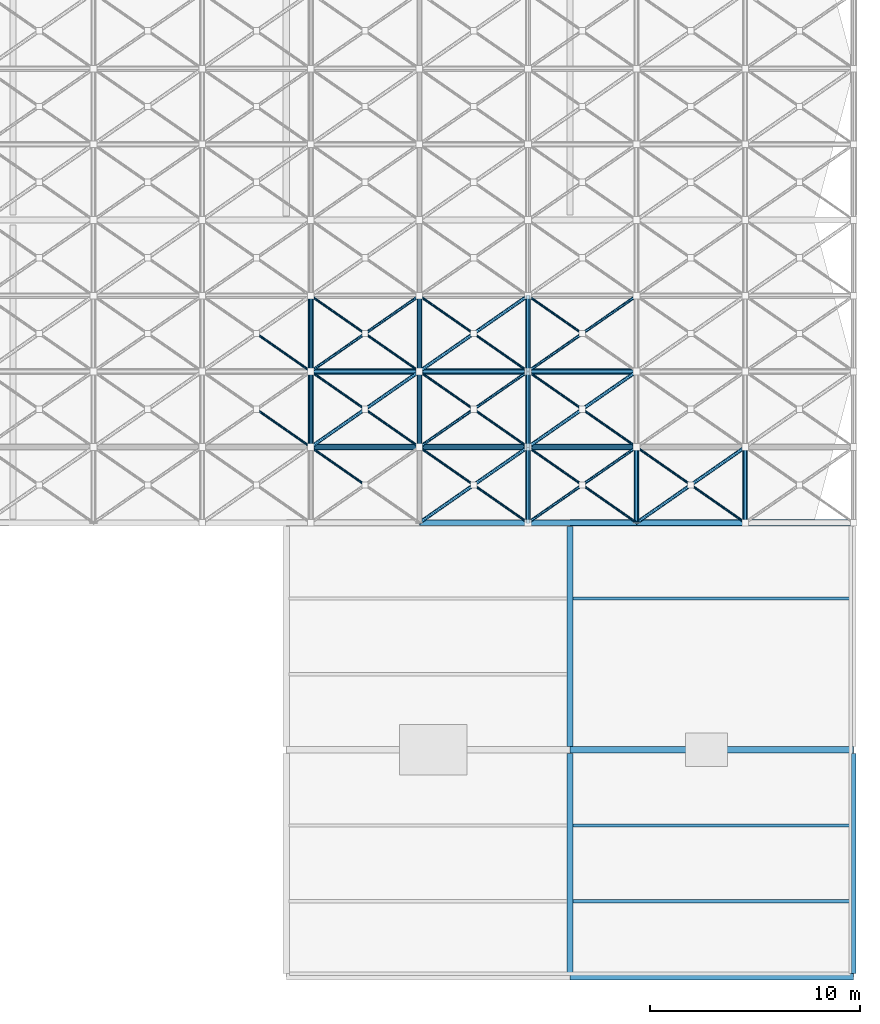
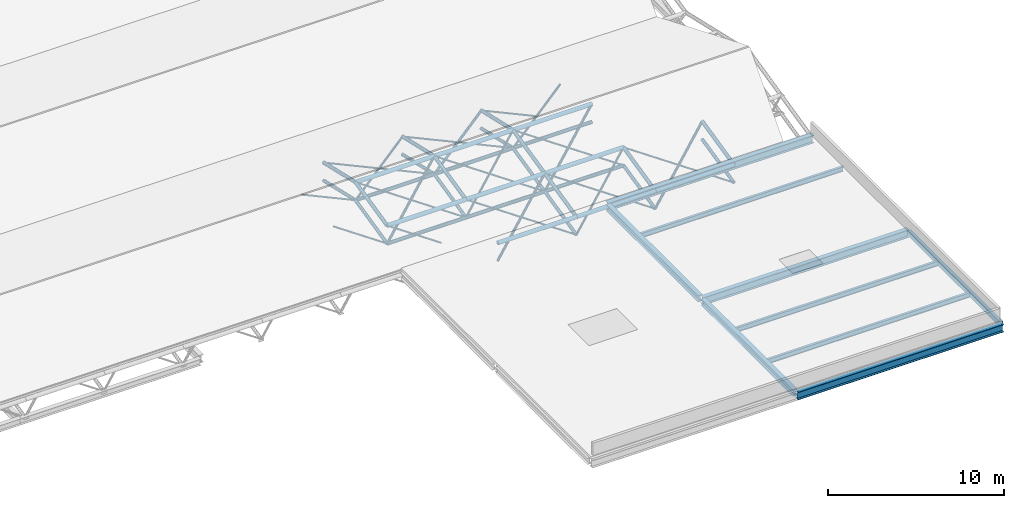
# One storey, part 36 of 110: 62 members, 9 beams.
"""IFC4 building model written with IfcOpenShell, lengths in metres."""

from ifc_helpers import new_model, si_unit, direction, frame, origin, origin_2d, place, context, subcontext, project, spatial, hollow_rectangle, hollow_circle, i_section, extrude, material, material_profile, profile_set, type_object, element, save


model = new_model("IFC4")

# Units and contexts
model_context = context("Model", 3, precision=1e-05, world=origin(), true_north=direction((0.0, 1.0)))
body_context = subcontext(model_context, "Body", "Model", "MODEL_VIEW")
ifc_project = project(units=[si_unit("LENGTHUNIT", "METRE"), si_unit("AREAUNIT", "SQUARE_METRE"), si_unit("VOLUMEUNIT", "CUBIC_METRE"), si_unit("PLANEANGLEUNIT", "RADIAN"), si_unit("MASSUNIT", "GRAM", prefix="KILO")], contexts=[model_context])

# Site, building, storey
site_placement = place(None, origin())
site = spatial("IfcSite", under=ifc_project, at=site_placement, CompositionType="ELEMENT")
building_placement = place(site_placement, origin())
building = spatial("IfcBuilding", under=site, at=building_placement, Name="Tamarisk Ironworks Central Station", CompositionType="ELEMENT")
storey_placement = place(building_placement, frame((0.0, 0.0, 17.39990234375)))
storey = spatial("IfcBuildingStorey", under=building, at=storey_placement, Name="L03", CompositionType="ELEMENT", Elevation=17.39990234375)

# Beams
ifc_material_1 = material(Name="Structural steel S355J2", Category="steel")
ifc_material_profile_1 = material_profile(ifc_material_1, i_section(OverallWidth=0.159912109375, OverallDepth=0.330078125, WebThickness=0.007568359375, FlangeThickness=0.011474609375, at=origin_2d()), Name="IPE 330")
ifc_profile_set_1 = profile_set([ifc_material_profile_1], Name="Structural steel S355J2")
beam_type_1 = type_object("IfcBeamType", Name="BM-B06", PredefinedType="BEAM", material=ifc_profile_set_1)
for number, where, z_axis, x_axis, name in (
    (1, (166.635009765625, 3.60009765625, -0.324951171875), (1.0, 0.0, 0.0), (0.0, 1.0, 0.0), "L03 secondary composite beam 0230"),
    (2, (166.635009765625, 7.199951171875, -0.324951171875), (1.0, 0.0, 0.0), (0.0, 1.0, 0.0), "L03 secondary composite beam 0231"),
    (3, (166.635009765625, 18.0, -0.324951171875), (1.0, 0.0, 0.0), (0.0, 1.0, 0.0), "L03 secondary composite beam 0232"),
):
    element("IfcBeam", number, at=place(storey_placement, frame(where, z_axis=z_axis, x_axis=x_axis)), inside=storey, type_object=beam_type_1, Name=name, PredefinedType="BEAM", context=body_context, shape_type="SweptSolid", body=[
        extrude(i_section(OverallWidth=0.159912109375, OverallDepth=0.330078125, WebThickness=0.007568359375, FlangeThickness=0.011474609375, at=origin_2d()), origin(), (0.0, 0.0, 1.0), 13.280029296875),
    ])
ifc_material_profile_2 = material_profile(ifc_material_1, i_section(OverallWidth=0.300048828125, OverallDepth=0.5400390625, WebThickness=0.012451171875, FlangeThickness=0.02392578125, at=origin_2d()), Name="HEA 550")
ifc_profile_set_2 = profile_set([ifc_material_profile_2], Name="Structural steel S355J2")
beam_type_2 = type_object("IfcBeamType", Name="BM-G04", PredefinedType="BEAM", material=ifc_profile_set_2)
for number, where, z_axis, x_axis, name in (
    (4, (166.50390625, 0.0, -0.429931640625), (1.0, 0.0, 0.0), (0.0, 1.0, 0.0), "L03 primary girder X-0623"),
    (5, (166.50390625, 10.800048828125, -0.429931640625), (1.0, 0.0, 0.0), (0.0, 1.0, 0.0), "L03 primary girder X-0625"),
    (6, (166.50390625, 21.60009765625, -0.429931640625), (1.0, 0.0, 0.0), (0.0, 1.0, 0.0), "L03 primary girder X-0627"),
):
    element("IfcBeam", number, at=place(storey_placement, frame(where, z_axis=z_axis, x_axis=x_axis)), inside=storey, type_object=beam_type_2, Name=name, PredefinedType="BEAM", context=body_context, shape_type="SweptSolid", body=[
        extrude(i_section(OverallWidth=0.300048828125, OverallDepth=0.5400390625, WebThickness=0.012451171875, FlangeThickness=0.02392578125, at=origin_2d()), origin(), (0.0, 0.0, 1.0), 13.4921875),
    ])
ifc_material_profile_3 = material_profile(ifc_material_1, i_section(OverallWidth=0.300048828125, OverallDepth=0.43994140625, WebThickness=0.011474609375, FlangeThickness=0.02099609375, at=origin_2d()), Name="HEA 450")
ifc_profile_set_3 = profile_set([ifc_material_profile_3], Name="Structural steel S355J2")
beam_type_3 = type_object("IfcBeamType", Name="BM-G06", PredefinedType="BEAM", material=ifc_profile_set_3)
beam_1_placement = place(storey_placement, frame((166.5, 0.16796875, -0.3798828125), z_axis=(0.0, 1.0, 0.0), x_axis=(-1.0, 0.0, 0.0)))
element("IfcBeam", 7, at=beam_1_placement, inside=storey, type_object=beam_type_3, Name="L03 primary girder Y-0695", PredefinedType="BEAM", context=body_context, shape_type="SweptSolid", body=[
    extrude(i_section(OverallWidth=0.300048828125, OverallDepth=0.43994140625, WebThickness=0.011474609375, FlangeThickness=0.02099609375, at=origin_2d()), origin(), (0.0, 0.0, 1.0), 10.464111328125),
])
beam_2_placement = place(storey_placement, frame((166.5, 10.968017578125, -0.3798828125), z_axis=(0.0, 1.0, 0.0), x_axis=(-1.0, 0.0, 0.0)))
element("IfcBeam", 8, at=beam_2_placement, inside=storey, type_object=beam_type_3, Name="L03 primary girder Y-0696", PredefinedType="BEAM", context=body_context, shape_type="SweptSolid", body=[
    extrude(i_section(OverallWidth=0.300048828125, OverallDepth=0.43994140625, WebThickness=0.011474609375, FlangeThickness=0.02099609375, at=origin_2d()), origin(), (0.0, 0.0, 1.0), 10.4638671875),
])
ifc_material_profile_4 = material_profile(ifc_material_1, hollow_rectangle(XDim=0.199951171875, YDim=0.35009765625, WallThickness=0.012451171875, at=origin_2d()), Name="RHS 350x200x12.5")
ifc_profile_set_4 = profile_set([ifc_material_profile_4], Name="Structural steel S355J2")
beam_type_4 = type_object("IfcBeamType", Name="BM-SP01", PredefinedType="SPANDREL", material=ifc_profile_set_4)
beam_3_placement = place(storey_placement, frame((180.0, 0.16796875, -0.3349609375), z_axis=(0.0, 1.0, 0.0), x_axis=(-1.0, 0.0, 0.0)))
element("IfcBeam", 9, at=beam_3_placement, inside=storey, type_object=beam_type_4, Name="L03 primary girder Y-0700", PredefinedType="SPANDREL", context=body_context, shape_type="SweptSolid", body=[
    extrude(hollow_rectangle(XDim=0.199951171875, YDim=0.35009765625, WallThickness=0.012451171875, at=origin_2d()), origin(), (0.0, 0.0, 1.0), 10.464111328125),
])

# Members
ifc_material_2 = material(Name="Structural steel S355J2H", Category="steel")
ifc_material_profile_5 = material_profile(ifc_material_2, hollow_circle(Radius=0.136474609375, WallThickness=0.012451171875, at=origin_2d()), Name="CHS 273x12.5")
ifc_profile_set_5 = profile_set([ifc_material_profile_5], Name="Structural steel S355J2H")
member_type_1 = type_object("IfcMemberType", Name="MB-SFC01", PredefinedType="CHORD", material=ifc_profile_set_5)
for number, where, z_axis, x_axis, name in (
    (10, (159.333251953125, 21.60009765625, -0.469970703125), (1.0, 0.0, 0.0), (0.0, 1.0, 0.0), "Train shed space-frame top chord 1059"),
    (11, (164.5, 21.60009765625, -0.469970703125), (1.0, 0.0, 0.0), (0.0, 1.0, 0.0), "Train shed space-frame top chord 1060"),
):
    element("IfcMember", number, at=place(storey_placement, frame(where, z_axis=z_axis, x_axis=x_axis)), inside=storey, type_object=member_type_1, Name=name, PredefinedType="CHORD", context=body_context, shape_type="SweptSolid", body=[
        extrude(hollow_circle(Radius=0.136474609375, WallThickness=0.012451171875, at=origin_2d()), origin(), (0.0, 0.0, 1.0), 5.166748046875),
    ])
for number, where, z_axis, x_axis, name in (
    (12, (169.666748046875, 21.60009765625, -0.469970703125), (1.0, 0.0, 0.0), (0.0, 1.0, 0.0), "Train shed space-frame top chord 1061"),
    (13, (154.166748046875, 25.199951171875, 0.35498046875), (1.0, 0.0, 0.0), (0.0, 1.0, 0.0), "Train shed space-frame top chord 1070"),
):
    element("IfcMember", number, at=place(storey_placement, frame(where, z_axis=z_axis, x_axis=x_axis)), inside=storey, type_object=member_type_1, Name=name, PredefinedType="CHORD", context=body_context, shape_type="SweptSolid", body=[
        extrude(hollow_circle(Radius=0.136474609375, WallThickness=0.012451171875, at=origin_2d()), origin(), (0.0, 0.0, 1.0), 5.16650390625),
    ])
for number, where, z_axis, x_axis, name in (
    (14, (159.333251953125, 25.199951171875, 0.35498046875), (1.0, 0.0, 0.0), (0.0, 1.0, 0.0), "Train shed space-frame top chord 1071"),
    (15, (164.5, 25.199951171875, 0.35498046875), (1.0, 0.0, 0.0), (0.0, 1.0, 0.0), "Train shed space-frame top chord 1072"),
):
    element("IfcMember", number, at=place(storey_placement, frame(where, z_axis=z_axis, x_axis=x_axis)), inside=storey, type_object=member_type_1, Name=name, PredefinedType="CHORD", context=body_context, shape_type="SweptSolid", body=[
        extrude(hollow_circle(Radius=0.136474609375, WallThickness=0.012451171875, at=origin_2d()), origin(), (0.0, 0.0, 1.0), 5.166748046875),
    ])
member_1_placement = place(storey_placement, frame((154.166748046875, 28.800048828125, 1.18017578125), z_axis=(1.0, 0.0, 0.0), x_axis=(0.0, 1.0, 0.0)))
element("IfcMember", 16, at=member_1_placement, inside=storey, type_object=member_type_1, Name="Train shed space-frame top chord 1082", PredefinedType="CHORD", context=body_context, shape_type="SweptSolid", body=[
    extrude(hollow_circle(Radius=0.136474609375, WallThickness=0.012451171875, at=origin_2d()), origin(), (0.0, 0.0, 1.0), 5.16650390625),
])
for number, where, z_axis, x_axis, name in (
    (17, (159.333251953125, 28.800048828125, 1.18017578125), (1.0, 0.0, 0.0), (0.0, 1.0, 0.0), "Train shed space-frame top chord 1083"),
    (18, (164.5, 28.800048828125, 1.18017578125), (1.0, 0.0, 0.0), (0.0, 1.0, 0.0), "Train shed space-frame top chord 1084"),
):
    element("IfcMember", number, at=place(storey_placement, frame(where, z_axis=z_axis, x_axis=x_axis)), inside=storey, type_object=member_type_1, Name=name, PredefinedType="CHORD", context=body_context, shape_type="SweptSolid", body=[
        extrude(hollow_circle(Radius=0.136474609375, WallThickness=0.012451171875, at=origin_2d()), origin(), (0.0, 0.0, 1.0), 5.166748046875),
    ])
ifc_material_profile_6 = material_profile(ifc_material_2, hollow_circle(Radius=0.122314453125, WallThickness=0.012451171875, at=origin_2d()), Name="CHS 244.5x12.5")
ifc_profile_set_6 = profile_set([ifc_material_profile_6], Name="Structural steel S355J2H")
member_type_2 = type_object("IfcMemberType", Name="MB-SFC02", PredefinedType="CHORD", material=ifc_profile_set_6)
member_2_placement = place(storey_placement, frame((154.166748046875, 25.199951171875, -0.89501953125), z_axis=(1.0, 0.0, 0.0), x_axis=(0.0, 1.0, 0.0)))
element("IfcMember", 19, at=member_2_placement, inside=storey, type_object=member_type_2, Name="Train shed space-frame bottom chord 0970", PredefinedType="CHORD", context=body_context, shape_type="SweptSolid", body=[
    extrude(hollow_circle(Radius=0.122314453125, WallThickness=0.012451171875, at=origin_2d()), origin(), (0.0, 0.0, 1.0), 5.16650390625),
])
for number, where, z_axis, x_axis, name in (
    (20, (159.333251953125, 25.199951171875, -0.89501953125), (1.0, 0.0, 0.0), (0.0, 1.0, 0.0), "Train shed space-frame bottom chord 0971"),
    (21, (164.5, 25.199951171875, -0.89501953125), (1.0, 0.0, 0.0), (0.0, 1.0, 0.0), "Train shed space-frame bottom chord 0972"),
):
    element("IfcMember", number, at=place(storey_placement, frame(where, z_axis=z_axis, x_axis=x_axis)), inside=storey, type_object=member_type_2, Name=name, PredefinedType="CHORD", context=body_context, shape_type="SweptSolid", body=[
        extrude(hollow_circle(Radius=0.122314453125, WallThickness=0.012451171875, at=origin_2d()), origin(), (0.0, 0.0, 1.0), 5.166748046875),
    ])
member_3_placement = place(storey_placement, frame((154.166748046875, 28.800048828125, -0.06982421875), z_axis=(1.0, 0.0, 0.0), x_axis=(0.0, 1.0, 0.0)))
element("IfcMember", 22, at=member_3_placement, inside=storey, type_object=member_type_2, Name="Train shed space-frame bottom chord 0982", PredefinedType="CHORD", context=body_context, shape_type="SweptSolid", body=[
    extrude(hollow_circle(Radius=0.122314453125, WallThickness=0.012451171875, at=origin_2d()), origin(), (0.0, 0.0, 1.0), 5.16650390625),
])
for number, where, z_axis, x_axis, name in (
    (23, (159.333251953125, 28.800048828125, -0.06982421875), (1.0, 0.0, 0.0), (0.0, 1.0, 0.0), "Train shed space-frame bottom chord 0983"),
    (24, (164.5, 28.800048828125, -0.06982421875), (1.0, 0.0, 0.0), (0.0, 1.0, 0.0), "Train shed space-frame bottom chord 0984"),
):
    element("IfcMember", number, at=place(storey_placement, frame(where, z_axis=z_axis, x_axis=x_axis)), inside=storey, type_object=member_type_2, Name=name, PredefinedType="CHORD", context=body_context, shape_type="SweptSolid", body=[
        extrude(hollow_circle(Radius=0.122314453125, WallThickness=0.012451171875, at=origin_2d()), origin(), (0.0, 0.0, 1.0), 5.166748046875),
    ])
member_4_placement = place(storey_placement, frame((154.166748046875, 25.199951171875, 0.35498046875), z_axis=(0.0, 0.974722123001, 0.223420641241), x_axis=(-1.0, 0.0, 0.0)))
element("IfcMember", 25, at=member_4_placement, inside=storey, type_object=member_type_2, Name="Train shed space-frame top transverse chord 1140", PredefinedType="CHORD", context=body_context, shape_type="SweptSolid", body=[
    extrude(hollow_circle(Radius=0.122314453125, WallThickness=0.012451171875, at=origin_2d()), origin(), (0.0, 0.0, 1.0), 3.693359375),
])
member_5_placement = place(storey_placement, frame((154.166748046875, 28.800048828125, 1.18017578125), z_axis=(0.0, 0.974718823144, -0.223435037113), x_axis=(-1.0, 0.0, 0.0)))
element("IfcMember", 26, at=member_5_placement, inside=storey, type_object=member_type_2, Name="Train shed space-frame top transverse chord 1141", PredefinedType="CHORD", context=body_context, shape_type="SweptSolid", body=[
    extrude(hollow_circle(Radius=0.122314453125, WallThickness=0.012451171875, at=origin_2d()), origin(), (0.0, 0.0, 1.0), 3.693115234375),
])
member_6_placement = place(storey_placement, frame((159.333251953125, 25.199951171875, 0.35498046875), z_axis=(0.0, 0.974722123001, 0.223420641241), x_axis=(-1.0, 0.0, 0.0)))
element("IfcMember", 27, at=member_6_placement, inside=storey, type_object=member_type_2, Name="Train shed space-frame top transverse chord 1144", PredefinedType="CHORD", context=body_context, shape_type="SweptSolid", body=[
    extrude(hollow_circle(Radius=0.122314453125, WallThickness=0.012451171875, at=origin_2d()), origin(), (0.0, 0.0, 1.0), 3.693359375),
])
for number, where, z_axis, x_axis, name in (
    (28, (159.333251953125, 28.800048828125, 1.18017578125), (0.0, 0.974718823144, -0.223435037113), (-1.0, 0.0, 0.0), "Train shed space-frame top transverse chord 1145"),
    (29, (164.5, 21.60009765625, -0.469970703125), (0.0, 0.974733218107, 0.223372230857), (-1.0, 0.0, 0.0), "Train shed space-frame top transverse chord 1147"),
):
    element("IfcMember", number, at=place(storey_placement, frame(where, z_axis=z_axis, x_axis=x_axis)), inside=storey, type_object=member_type_2, Name=name, PredefinedType="CHORD", context=body_context, shape_type="SweptSolid", body=[
        extrude(hollow_circle(Radius=0.122314453125, WallThickness=0.012451171875, at=origin_2d()), origin(), (0.0, 0.0, 1.0), 3.693115234375),
    ])
member_7_placement = place(storey_placement, frame((164.5, 25.199951171875, 0.35498046875), z_axis=(0.0, 0.974722123001, 0.223420641241), x_axis=(-1.0, 0.0, 0.0)))
element("IfcMember", 30, at=member_7_placement, inside=storey, type_object=member_type_2, Name="Train shed space-frame top transverse chord 1148", PredefinedType="CHORD", context=body_context, shape_type="SweptSolid", body=[
    extrude(hollow_circle(Radius=0.122314453125, WallThickness=0.012451171875, at=origin_2d()), origin(), (0.0, 0.0, 1.0), 3.693359375),
])
for number, where, z_axis, x_axis, name in (
    (31, (164.5, 28.800048828125, 1.18017578125), (0.0, 0.974718823144, -0.223435037113), (-1.0, 0.0, 0.0), "Train shed space-frame top transverse chord 1149"),
    (32, (169.666748046875, 21.60009765625, -0.469970703125), (0.0, 0.974733218107, 0.223372230857), (-1.0, 0.0, 0.0), "Train shed space-frame top transverse chord 1151"),
    (33, (174.833251953125, 21.60009765625, -0.469970703125), (0.0, 0.974733218107, 0.223372230857), (-1.0, 0.0, 0.0), "Train shed space-frame top transverse chord 1155"),
):
    element("IfcMember", number, at=place(storey_placement, frame(where, z_axis=z_axis, x_axis=x_axis)), inside=storey, type_object=member_type_2, Name=name, PredefinedType="CHORD", context=body_context, shape_type="SweptSolid", body=[
        extrude(hollow_circle(Radius=0.122314453125, WallThickness=0.012451171875, at=origin_2d()), origin(), (0.0, 0.0, 1.0), 3.693115234375),
    ])
ifc_material_profile_7 = material_profile(ifc_material_2, hollow_circle(Radius=0.109619140625, WallThickness=0.010009765625, at=origin_2d()), Name="CHS 219.1x10")
ifc_profile_set_7 = profile_set([ifc_material_profile_7], Name="Structural steel S355J2H")
member_type_3 = type_object("IfcMemberType", Name="MB-SFC03", PredefinedType="CHORD", material=ifc_profile_set_7)
member_8_placement = place(storey_placement, frame((154.166748046875, 25.199951171875, -0.89501953125), z_axis=(0.0, 0.974722123001, 0.223420641241), x_axis=(-1.0, 0.0, 0.0)))
element("IfcMember", 34, at=member_8_placement, inside=storey, type_object=member_type_3, Name="Train shed space-frame transverse chord 1028", PredefinedType="CHORD", context=body_context, shape_type="SweptSolid", body=[
    extrude(hollow_circle(Radius=0.109619140625, WallThickness=0.010009765625, at=origin_2d()), origin(), (0.0, 0.0, 1.0), 3.693359375),
])
member_9_placement = place(storey_placement, frame((154.166748046875, 28.800048828125, -0.06982421875), z_axis=(0.0, 0.974718823144, -0.223435037113), x_axis=(-1.0, 0.0, 0.0)))
element("IfcMember", 35, at=member_9_placement, inside=storey, type_object=member_type_3, Name="Train shed space-frame transverse chord 1029", PredefinedType="CHORD", context=body_context, shape_type="SweptSolid", body=[
    extrude(hollow_circle(Radius=0.109619140625, WallThickness=0.010009765625, at=origin_2d()), origin(), (0.0, 0.0, 1.0), 3.693115234375),
])
member_10_placement = place(storey_placement, frame((159.333251953125, 25.199951171875, -0.89501953125), z_axis=(0.0, 0.974722123001, 0.223420641241), x_axis=(-1.0, 0.0, 0.0)))
element("IfcMember", 36, at=member_10_placement, inside=storey, type_object=member_type_3, Name="Train shed space-frame transverse chord 1032", PredefinedType="CHORD", context=body_context, shape_type="SweptSolid", body=[
    extrude(hollow_circle(Radius=0.109619140625, WallThickness=0.010009765625, at=origin_2d()), origin(), (0.0, 0.0, 1.0), 3.693359375),
])
for number, where, z_axis, x_axis, name in (
    (37, (159.333251953125, 28.800048828125, -0.06982421875), (0.0, 0.974718823144, -0.223435037113), (-1.0, 0.0, 0.0), "Train shed space-frame transverse chord 1033"),
    (38, (164.5, 21.60009765625, -1.719970703125), (0.0, 0.974733218107, 0.223372230857), (-1.0, 0.0, 0.0), "Train shed space-frame transverse chord 1035"),
):
    element("IfcMember", number, at=place(storey_placement, frame(where, z_axis=z_axis, x_axis=x_axis)), inside=storey, type_object=member_type_3, Name=name, PredefinedType="CHORD", context=body_context, shape_type="SweptSolid", body=[
        extrude(hollow_circle(Radius=0.109619140625, WallThickness=0.010009765625, at=origin_2d()), origin(), (0.0, 0.0, 1.0), 3.693115234375),
    ])
member_11_placement = place(storey_placement, frame((164.5, 25.199951171875, -0.89501953125), z_axis=(0.0, 0.974722123001, 0.223420641241), x_axis=(-1.0, 0.0, 0.0)))
element("IfcMember", 39, at=member_11_placement, inside=storey, type_object=member_type_3, Name="Train shed space-frame transverse chord 1036", PredefinedType="CHORD", context=body_context, shape_type="SweptSolid", body=[
    extrude(hollow_circle(Radius=0.109619140625, WallThickness=0.010009765625, at=origin_2d()), origin(), (0.0, 0.0, 1.0), 3.693359375),
])
for number, where, z_axis, x_axis, name in (
    (40, (164.5, 28.800048828125, -0.06982421875), (0.0, 0.974718823144, -0.223435037113), (-1.0, 0.0, 0.0), "Train shed space-frame transverse chord 1037"),
    (41, (169.666748046875, 21.60009765625, -1.719970703125), (0.0, 0.974733218107, 0.223372230857), (-1.0, 0.0, 0.0), "Train shed space-frame transverse chord 1039"),
    (42, (174.833251953125, 21.60009765625, -1.719970703125), (0.0, 0.974733218107, 0.223372230857), (-1.0, 0.0, 0.0), "Train shed space-frame transverse chord 1043"),
):
    element("IfcMember", number, at=place(storey_placement, frame(where, z_axis=z_axis, x_axis=x_axis)), inside=storey, type_object=member_type_3, Name=name, PredefinedType="CHORD", context=body_context, shape_type="SweptSolid", body=[
        extrude(hollow_circle(Radius=0.109619140625, WallThickness=0.010009765625, at=origin_2d()), origin(), (0.0, 0.0, 1.0), 3.693115234375),
    ])
ifc_material_profile_8 = material_profile(ifc_material_2, hollow_circle(Radius=0.084228515625, WallThickness=0.010009765625, at=origin_2d()), Name="CHS 168.3x10")
ifc_profile_set_8 = profile_set([ifc_material_profile_8], Name="Structural steel S355J2H")
member_type_4 = type_object("IfcMemberType", Name="MB-SFD01", PredefinedType="BRACE", material=ifc_profile_set_8)
for number, where, z_axis, x_axis, name in (
    (43, (154.166748046875, 25.199951171875, -0.89501953125), (0.779234922088, 0.542982617952, 0.31299011614), (-0.571707258436, 0.820457683645, 0.0), "Train shed space-frame diagonal 1221"),
    (44, (159.333251953125, 21.60009765625, -1.719970703125), (0.779273944842, 0.542947328672, 0.312954177442), (-0.57166297408, 0.820488539875, 0.0), "Train shed space-frame diagonal 1227"),
):
    element("IfcMember", number, at=place(storey_placement, frame(where, z_axis=z_axis, x_axis=x_axis)), inside=storey, type_object=member_type_4, Name=name, PredefinedType="BRACE", context=body_context, shape_type="SweptSolid", body=[
        extrude(hollow_circle(Radius=0.084228515625, WallThickness=0.010009765625, at=origin_2d()), origin(), (0.0, 0.0, 1.0), 6.630126953125),
    ])
member_12_placement = place(storey_placement, frame((159.333251953125, 28.800048828125, -0.06982421875), z_axis=(0.818627942589, 0.570366631076, 0.06730674385), x_axis=(-0.57166297408, 0.820488539875, 0.0)))
element("IfcMember", 45, at=member_12_placement, inside=storey, type_object=member_type_4, Name="Train shed space-frame diagonal 1231", PredefinedType="BRACE", context=body_context, shape_type="SweptSolid", body=[
    extrude(hollow_circle(Radius=0.084228515625, WallThickness=0.010009765625, at=origin_2d()), origin(), (0.0, 0.0, 1.0), 6.3115234375),
])
member_13_placement = place(storey_placement, frame((164.5, 25.199951171875, -0.89501953125), z_axis=(0.779249385031, 0.542967038306, 0.312981135603), x_axis=(-0.571689073201, 0.82047035509, 0.0)))
element("IfcMember", 46, at=member_13_placement, inside=storey, type_object=member_type_4, Name="Train shed space-frame diagonal 1237", PredefinedType="BRACE", context=body_context, shape_type="SweptSolid", body=[
    extrude(hollow_circle(Radius=0.084228515625, WallThickness=0.010009765625, at=origin_2d()), origin(), (0.0, 0.0, 1.0), 6.63037109375),
])
member_14_placement = place(storey_placement, frame((169.666748046875, 21.60009765625, -1.719970703125), z_axis=(0.779259482852, 0.542962908735, 0.312963157772), x_axis=(-0.571681159291, 0.820475869305, 0.0)))
element("IfcMember", 47, at=member_14_placement, inside=storey, type_object=member_type_4, Name="Train shed space-frame diagonal 1243", PredefinedType="BRACE", context=body_context, shape_type="SweptSolid", body=[
    extrude(hollow_circle(Radius=0.084228515625, WallThickness=0.010009765625, at=origin_2d()), origin(), (0.0, 0.0, 1.0), 6.630126953125),
])
ifc_material_profile_9 = material_profile(ifc_material_2, hollow_circle(Radius=0.06982421875, WallThickness=0.008056640625, at=origin_2d()), Name="CHS 139.7x8")
ifc_profile_set_9 = profile_set([ifc_material_profile_9], Name="Structural steel S355J2H")
member_type_5 = type_object("IfcMemberType", Name="MB-SFD02", PredefinedType="BRACE", material=ifc_profile_set_9)
member_15_placement = place(storey_placement, frame((154.166748046875, 28.800048828125, -0.06982421875), z_axis=(0.818615182779, 0.570384692849, 0.06730887525), x_axis=(-0.571681159291, 0.820475869305, 0.0)))
element("IfcMember", 48, at=member_15_placement, inside=storey, type_object=member_type_5, Name="Train shed space-frame diagonal 1223", PredefinedType="BRACE", context=body_context, shape_type="SweptSolid", body=[
    extrude(hollow_circle(Radius=0.06982421875, WallThickness=0.008056640625, at=origin_2d()), origin(), (0.0, 0.0, 1.0), 6.311279296875),
])
member_16_placement = place(storey_placement, frame((159.333251953125, 25.199951171875, -0.89501953125), z_axis=(0.779249385031, 0.542967038306, 0.312981135603), x_axis=(-0.571689073201, 0.82047035509, 0.0)))
element("IfcMember", 49, at=member_16_placement, inside=storey, type_object=member_type_5, Name="Train shed space-frame diagonal 1229", PredefinedType="BRACE", context=body_context, shape_type="SweptSolid", body=[
    extrude(hollow_circle(Radius=0.06982421875, WallThickness=0.008056640625, at=origin_2d()), origin(), (0.0, 0.0, 1.0), 6.63037109375),
])
member_17_placement = place(storey_placement, frame((164.5, 21.60009765625, -1.719970703125), z_axis=(0.779273944842, 0.542947328672, 0.312954177442), x_axis=(-0.57166297408, 0.820488539875, 0.0)))
element("IfcMember", 50, at=member_17_placement, inside=storey, type_object=member_type_5, Name="Train shed space-frame diagonal 1235", PredefinedType="BRACE", context=body_context, shape_type="SweptSolid", body=[
    extrude(hollow_circle(Radius=0.06982421875, WallThickness=0.008056640625, at=origin_2d()), origin(), (0.0, 0.0, 1.0), 6.630126953125),
])
member_18_placement = place(storey_placement, frame((164.5, 28.800048828125, -0.06982421875), z_axis=(0.818627942589, 0.570366631076, 0.06730674385), x_axis=(-0.57166297408, 0.820488539875, 0.0)))
element("IfcMember", 51, at=member_18_placement, inside=storey, type_object=member_type_5, Name="Train shed space-frame diagonal 1239", PredefinedType="BRACE", context=body_context, shape_type="SweptSolid", body=[
    extrude(hollow_circle(Radius=0.06982421875, WallThickness=0.008056640625, at=origin_2d()), origin(), (0.0, 0.0, 1.0), 6.3115234375),
])
ifc_material_profile_10 = material_profile(ifc_material_2, hollow_circle(Radius=0.05712890625, WallThickness=0.00634765625, at=origin_2d()), Name="CHS 114.3x6.3")
ifc_profile_set_10 = profile_set([ifc_material_profile_10], Name="Structural steel S355J2H")
member_type_6 = type_object("IfcMemberType", Name="MB-SFD03", PredefinedType="BRACE", material=ifc_profile_set_10)
member_19_placement = place(storey_placement, frame((154.166748046875, 25.199951171875, -0.89501953125), z_axis=(-0.779231423252, 0.542975884106, 0.313010508283), x_axis=(-0.571704213709, -0.820459805248, 0.0)))
element("IfcMember", 52, at=member_19_placement, inside=storey, type_object=member_type_6, Name="Train shed space-frame split counter-diagonal lower 1214", PredefinedType="BRACE", context=body_context, shape_type="SweptSolid", body=[
    extrude(hollow_circle(Radius=0.05712890625, WallThickness=0.00634765625, at=origin_2d()), origin(), (0.0, 0.0, 1.0), 3.26025390625),
])
member_20_placement = place(storey_placement, frame((154.166748046875, 28.800048828125, -0.06982421875), z_axis=(-0.81862545828, 0.570368646704, 0.067319877544), x_axis=(-0.571665501983, -0.820486778591, 0.0)))
element("IfcMember", 53, at=member_20_placement, inside=storey, type_object=member_type_6, Name="Train shed space-frame split counter-diagonal lower 1216", PredefinedType="BRACE", context=body_context, shape_type="SweptSolid", body=[
    extrude(hollow_circle(Radius=0.05712890625, WallThickness=0.00634765625, at=origin_2d()), origin(), (0.0, 0.0, 1.0), 3.100830078125),
])
for number, where, z_axis, x_axis, name in (
    (54, (156.70703125, 23.429931640625, -0.665283203125), (-0.779251958926, 0.542967486998, 0.312973948712), (-0.571688120068, -0.820471019216, 0.0), "Train shed space-frame split counter-diagonal upper 1220"),
    (55, (159.333251953125, 25.199951171875, -0.89501953125), (-0.779202006797, 0.5430075686, 0.313028773514), (-0.571741198525, -0.820434032637, 0.0), "Train shed space-frame split counter-diagonal lower 1222"),
    (56, (156.70703125, 27.02978515625, 0.159912109375), (-0.779220271205, 0.543020296637, 0.312961221852), (-0.571741198525, -0.820434032637, 0.0), "Train shed space-frame split counter-diagonal upper 1222"),
):
    element("IfcMember", number, at=place(storey_placement, frame(where, z_axis=z_axis, x_axis=x_axis)), inside=storey, type_object=member_type_6, Name=name, PredefinedType="BRACE", context=body_context, shape_type="SweptSolid", body=[
        extrude(hollow_circle(Radius=0.05712890625, WallThickness=0.00634765625, at=origin_2d()), origin(), (0.0, 0.0, 1.0), 3.260009765625),
    ])
for number, where, z_axis, x_axis, name in (
    (57, (159.333251953125, 28.800048828125, -0.06982421875), (-0.81862545828, 0.570368646704, 0.067319877544), (-0.571665501983, -0.820486778591, 0.0), "Train shed space-frame split counter-diagonal lower 1224"),
    (58, (156.705078125, 30.63134765625, 0.146240234375), (-0.81862545828, 0.570368646704, 0.067319877544), (-0.571665501983, -0.820486778591, 0.0), "Train shed space-frame split counter-diagonal upper 1224"),
):
    element("IfcMember", number, at=place(storey_placement, frame(where, z_axis=z_axis, x_axis=x_axis)), inside=storey, type_object=member_type_6, Name=name, PredefinedType="BRACE", context=body_context, shape_type="SweptSolid", body=[
        extrude(hollow_circle(Radius=0.05712890625, WallThickness=0.00634765625, at=origin_2d()), origin(), (0.0, 0.0, 1.0), 3.100830078125),
    ])
for number, where, z_axis, x_axis, name in (
    (59, (164.5, 21.60009765625, -1.719970703125), (-0.779251958926, 0.542967486998, 0.312973948712), (-0.571688120068, -0.820471019216, 0.0), "Train shed space-frame split counter-diagonal lower 1228"),
    (60, (161.873779296875, 23.429931640625, -0.665283203125), (-0.779281371438, 0.542935800781, 0.31295568434), (-0.571651135352, -0.820496788203, 0.0), "Train shed space-frame split counter-diagonal upper 1228"),
    (61, (164.5, 25.199951171875, -0.89501953125), (-0.779202006797, 0.5430075686, 0.313028773514), (-0.571741198525, -0.820434032637, 0.0), "Train shed space-frame split counter-diagonal lower 1230"),
):
    element("IfcMember", number, at=place(storey_placement, frame(where, z_axis=z_axis, x_axis=x_axis)), inside=storey, type_object=member_type_6, Name=name, PredefinedType="BRACE", context=body_context, shape_type="SweptSolid", body=[
        extrude(hollow_circle(Radius=0.05712890625, WallThickness=0.00634765625, at=origin_2d()), origin(), (0.0, 0.0, 1.0), 3.260009765625),
    ])
member_21_placement = place(storey_placement, frame((161.873779296875, 27.02978515625, 0.159912109375), z_axis=(-0.779249686219, 0.542988609915, 0.312942959707), x_axis=(-0.571704213709, -0.820459805248, 0.0)))
element("IfcMember", 62, at=member_21_placement, inside=storey, type_object=member_type_6, Name="Train shed space-frame split counter-diagonal upper 1230", PredefinedType="BRACE", context=body_context, shape_type="SweptSolid", body=[
    extrude(hollow_circle(Radius=0.05712890625, WallThickness=0.00634765625, at=origin_2d()), origin(), (0.0, 0.0, 1.0), 3.26025390625),
])
for number, where, z_axis, x_axis, name in (
    (63, (164.5, 28.800048828125, -0.06982421875), (-0.81862545828, 0.570368646704, 0.067319877544), (-0.571665501983, -0.820486778591, 0.0), "Train shed space-frame split counter-diagonal lower 1232"),
    (64, (161.87158203125, 30.63134765625, 0.146240234375), (-0.81862545828, 0.570368646704, 0.067319877544), (-0.571665501983, -0.820486778591, 0.0), "Train shed space-frame split counter-diagonal upper 1232"),
):
    element("IfcMember", number, at=place(storey_placement, frame(where, z_axis=z_axis, x_axis=x_axis)), inside=storey, type_object=member_type_6, Name=name, PredefinedType="BRACE", context=body_context, shape_type="SweptSolid", body=[
        extrude(hollow_circle(Radius=0.05712890625, WallThickness=0.00634765625, at=origin_2d()), origin(), (0.0, 0.0, 1.0), 3.100830078125),
    ])
for number, where, z_axis, x_axis, name in (
    (65, (169.666748046875, 21.60009765625, -1.719970703125), (-0.779281371438, 0.542935800781, 0.31295568434), (-0.571651135352, -0.820496788203, 0.0), "Train shed space-frame split counter-diagonal lower 1236"),
    (66, (167.040283203125, 23.429931640625, -0.665283203125), (-0.779251958926, 0.542967486998, 0.312973948712), (-0.571688120068, -0.820471019216, 0.0), "Train shed space-frame split counter-diagonal upper 1236"),
):
    element("IfcMember", number, at=place(storey_placement, frame(where, z_axis=z_axis, x_axis=x_axis)), inside=storey, type_object=member_type_6, Name=name, PredefinedType="BRACE", context=body_context, shape_type="SweptSolid", body=[
        extrude(hollow_circle(Radius=0.05712890625, WallThickness=0.00634765625, at=origin_2d()), origin(), (0.0, 0.0, 1.0), 3.260009765625),
    ])
member_22_placement = place(storey_placement, frame((169.666748046875, 25.199951171875, -0.89501953125), z_axis=(-0.779231423252, 0.542975884106, 0.313010508283), x_axis=(-0.571704213709, -0.820459805248, 0.0)))
element("IfcMember", 67, at=member_22_placement, inside=storey, type_object=member_type_6, Name="Train shed space-frame split counter-diagonal lower 1238", PredefinedType="BRACE", context=body_context, shape_type="SweptSolid", body=[
    extrude(hollow_circle(Radius=0.05712890625, WallThickness=0.00634765625, at=origin_2d()), origin(), (0.0, 0.0, 1.0), 3.26025390625),
])
member_23_placement = place(storey_placement, frame((167.040283203125, 27.02978515625, 0.159912109375), z_axis=(-0.779220271205, 0.543020296637, 0.312961221852), x_axis=(-0.571741198525, -0.820434032637, 0.0)))
element("IfcMember", 68, at=member_23_placement, inside=storey, type_object=member_type_6, Name="Train shed space-frame split counter-diagonal upper 1238", PredefinedType="BRACE", context=body_context, shape_type="SweptSolid", body=[
    extrude(hollow_circle(Radius=0.05712890625, WallThickness=0.00634765625, at=origin_2d()), origin(), (0.0, 0.0, 1.0), 3.260009765625),
])
member_24_placement = place(storey_placement, frame((167.038330078125, 30.63134765625, 0.146240234375), z_axis=(-0.81862545828, 0.570368646704, 0.067319877544), x_axis=(-0.571665501983, -0.820486778591, 0.0)))
element("IfcMember", 69, at=member_24_placement, inside=storey, type_object=member_type_6, Name="Train shed space-frame split counter-diagonal upper 1240", PredefinedType="BRACE", context=body_context, shape_type="SweptSolid", body=[
    extrude(hollow_circle(Radius=0.05712890625, WallThickness=0.00634765625, at=origin_2d()), origin(), (0.0, 0.0, 1.0), 3.100830078125),
])
for number, where, z_axis, x_axis, name in (
    (70, (174.833251953125, 21.60009765625, -1.719970703125), (-0.779251958926, 0.542967486998, 0.312973948712), (-0.571688120068, -0.820471019216, 0.0), "Train shed space-frame split counter-diagonal lower 1244"),
    (71, (172.20703125, 23.429931640625, -0.665283203125), (-0.779251958926, 0.542967486998, 0.312973948712), (-0.571688120068, -0.820471019216, 0.0), "Train shed space-frame split counter-diagonal upper 1244"),
):
    element("IfcMember", number, at=place(storey_placement, frame(where, z_axis=z_axis, x_axis=x_axis)), inside=storey, type_object=member_type_6, Name=name, PredefinedType="BRACE", context=body_context, shape_type="SweptSolid", body=[
        extrude(hollow_circle(Radius=0.05712890625, WallThickness=0.00634765625, at=origin_2d()), origin(), (0.0, 0.0, 1.0), 3.260009765625),
    ])

save(model, "model.ifc")
